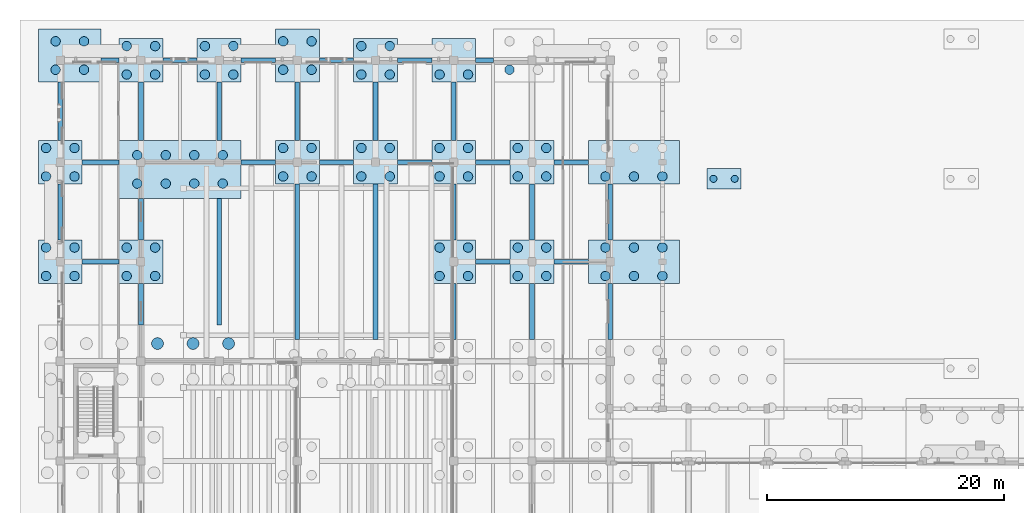
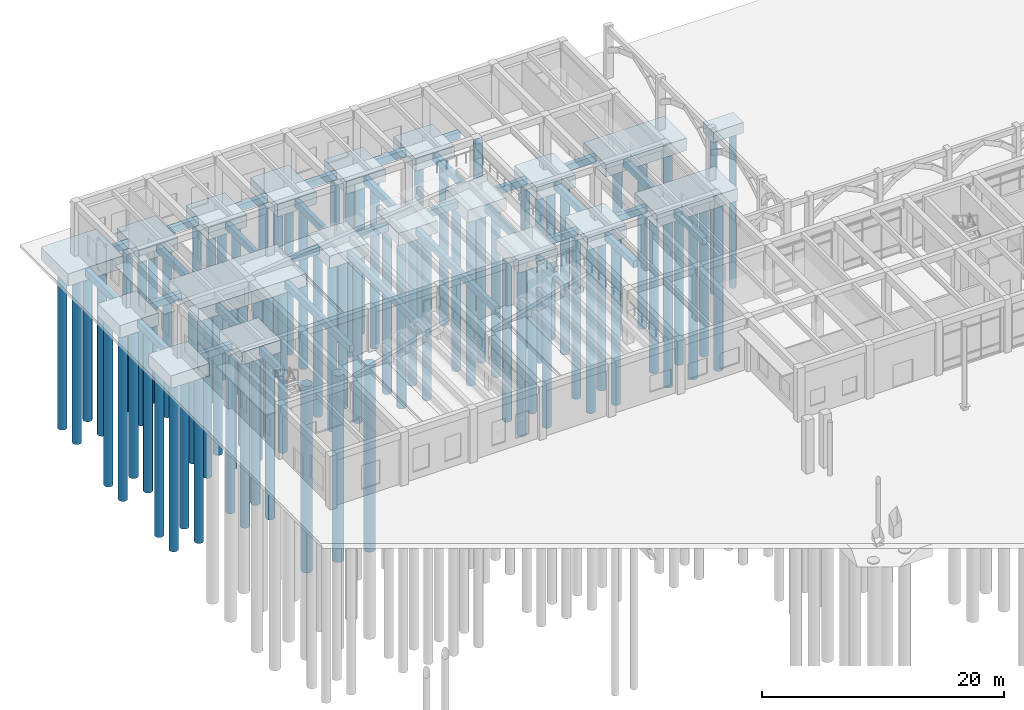
# One storey, part 5 of 82: 81 piles, 52 footings.
"""IFC4 building model written with IfcOpenShell, lengths in metres."""

from ifc_helpers import new_model, si_unit, direction, frame, origin, origin_2d, place, context, subcontext, project, spatial, rectangle, circle, extrude, material, material_profile, profile_set, type_object, element, save


model = new_model("IFC4")

# Units and contexts
model_context = context("Model", 3, precision=1e-05, world=origin(), true_north=direction((0.0, 1.0)))
body_context = subcontext(model_context, "Body", "Model", "MODEL_VIEW")
ifc_project = project(units=[si_unit("LENGTHUNIT", "METRE"), si_unit("AREAUNIT", "SQUARE_METRE"), si_unit("VOLUMEUNIT", "CUBIC_METRE"), si_unit("PLANEANGLEUNIT", "RADIAN"), si_unit("MASSUNIT", "GRAM", prefix="KILO")], contexts=[model_context])

# Site, building, storey
site_placement = place(None, origin())
site = spatial("IfcSite", under=ifc_project, at=site_placement, CompositionType="ELEMENT")
building_placement = place(site_placement, origin())
building = spatial("IfcBuilding", under=site, at=building_placement, Name="Kolvaren Faculty of Natural Sciences", CompositionType="ELEMENT")
storey_placement = place(building_placement, origin())
storey = spatial("IfcBuildingStorey", under=building, at=storey_placement, Name="L00", CompositionType="ELEMENT", Elevation=0.0)

# Piles
ifc_material = material(Name="Concrete C35/45", Category="concrete")
ifc_material_profile_1 = material_profile(ifc_material, circle(Radius=0.5, at=origin_2d()), Name="PILE D1000")
ifc_profile_set_1 = profile_set([ifc_material_profile_1], Name="Concrete C35/45")
pile_type_1 = type_object("IfcPileType", Name="BoredPile_1000", PredefinedType="BORED", material=ifc_profile_set_1)
for number, where, z_axis, x_axis, name in (
    (1, (8.199951171875, 94.10009765625, -1.469970703125), (0.0, 0.0, -1.0), (1.0, 0.0, 0.0), "Rock-socketed bored pile BP-1000 under CAP-087"),
    (2, (11.199951171875, 94.10009765625, -1.469970703125), (0.0, 0.0, -1.0), (1.0, 0.0, 0.0), "Rock-socketed bored pile BP-1000 under CAP-087"),
    (3, (14.199951171875, 94.10009765625, -1.469970703125), (0.0, 0.0, -1.0), (1.0, 0.0, 0.0), "Rock-socketed bored pile BP-1000 under CAP-087"),
):
    element("IfcPile", number, at=place(storey_placement, frame(where, z_axis=z_axis, x_axis=x_axis)), inside=storey, type_object=pile_type_1, Name=name, PredefinedType="BORED", context=body_context, shape_type="SweptSolid", body=[
        extrude(circle(Radius=0.5, at=origin_2d()), origin(), (0.0, 0.0, 1.0), 18.830078125),
    ])
ifc_material_profile_2 = material_profile(ifc_material, circle(Radius=0.300048828125, at=origin_2d()), Name="PILE D600")
ifc_profile_set_2 = profile_set([ifc_material_profile_2], Name="Concrete C35/45")
pile_type_2 = type_object("IfcPileType", Name="BoredPile_600", PredefinedType="BORED", material=ifc_profile_set_2)
for number, where, z_axis, x_axis, name in (
    (4, (55.10009765625, 108.0, -1.27001953125), (0.0, 0.0, -1.0), (1.0, 0.0, 0.0), "Rock-socketed bored pile BP-600 under CAP-151"),
    (5, (56.89990234375, 108.0, -1.27001953125), (0.0, 0.0, -1.0), (1.0, 0.0, 0.0), "Rock-socketed bored pile BP-600 under CAP-151"),
):
    element("IfcPile", number, at=place(storey_placement, frame(where, z_axis=z_axis, x_axis=x_axis)), inside=storey, type_object=pile_type_2, Name=name, PredefinedType="BORED", context=body_context, shape_type="SweptSolid", body=[
        extrude(circle(Radius=0.300048828125, at=origin_2d()), origin(), (0.0, 0.0, 1.0), 15.929931640625),
    ])
ifc_material_profile_3 = material_profile(ifc_material, circle(Radius=0.39990234375, at=origin_2d()), Name="PILE D800")
ifc_profile_set_3 = profile_set([ifc_material_profile_3], Name="Concrete C35/45")
pile_type_3 = type_object("IfcPileType", Name="BoredPile_800", PredefinedType="BORED", material=ifc_profile_set_3)
for number, where, z_axis, x_axis, name in (
    (6, (-1.199951171875, 99.800048828125, -1.469970703125), (0.0, 0.0, -1.0), (1.0, 0.0, 0.0), "Rock-socketed bored pile BP-800 under CAP-088"),
    (7, (-1.199951171875, 102.199951171875, -1.469970703125), (0.0, 0.0, -1.0), (1.0, 0.0, 0.0), "Rock-socketed bored pile BP-800 under CAP-088"),
    (8, (1.199951171875, 99.800048828125, -1.469970703125), (0.0, 0.0, -1.0), (1.0, 0.0, 0.0), "Rock-socketed bored pile BP-800 under CAP-088"),
    (9, (1.199951171875, 102.199951171875, -1.469970703125), (0.0, 0.0, -1.0), (1.0, 0.0, 0.0), "Rock-socketed bored pile BP-800 under CAP-088"),
    (10, (-1.199951171875, 108.199951171875, -1.469970703125), (0.0, 0.0, -1.0), (1.0, 0.0, 0.0), "Rock-socketed bored pile BP-800 under CAP-089"),
    (11, (-1.199951171875, 110.60009765625, -1.469970703125), (0.0, 0.0, -1.0), (1.0, 0.0, 0.0), "Rock-socketed bored pile BP-800 under CAP-089"),
    (12, (1.199951171875, 108.199951171875, -1.469970703125), (0.0, 0.0, -1.0), (1.0, 0.0, 0.0), "Rock-socketed bored pile BP-800 under CAP-089"),
    (13, (1.199951171875, 110.60009765625, -1.469970703125), (0.0, 0.0, -1.0), (1.0, 0.0, 0.0), "Rock-socketed bored pile BP-800 under CAP-089"),
    (14, (-0.39990234375, 117.199951171875, -1.469970703125), (0.0, 0.0, -1.0), (1.0, 0.0, 0.0), "Rock-socketed bored pile BP-800 under CAP-090"),
    (15, (-0.39990234375, 119.60009765625, -1.469970703125), (0.0, 0.0, -1.0), (1.0, 0.0, 0.0), "Rock-socketed bored pile BP-800 under CAP-090"),
    (16, (2.0, 117.199951171875, -1.469970703125), (0.0, 0.0, -1.0), (1.0, 0.0, 0.0), "Rock-socketed bored pile BP-800 under CAP-090"),
    (17, (2.0, 119.60009765625, -1.469970703125), (0.0, 0.0, -1.0), (1.0, 0.0, 0.0), "Rock-socketed bored pile BP-800 under CAP-090"),
    (18, (5.60009765625, 99.800048828125, -1.469970703125), (0.0, 0.0, -1.0), (1.0, 0.0, 0.0), "Rock-socketed bored pile BP-800 under CAP-098"),
    (19, (5.60009765625, 102.199951171875, -1.469970703125), (0.0, 0.0, -1.0), (1.0, 0.0, 0.0), "Rock-socketed bored pile BP-800 under CAP-098"),
    (20, (8.0, 99.800048828125, -1.469970703125), (0.0, 0.0, -1.0), (1.0, 0.0, 0.0), "Rock-socketed bored pile BP-800 under CAP-098"),
    (21, (8.0, 102.199951171875, -1.469970703125), (0.0, 0.0, -1.0), (1.0, 0.0, 0.0), "Rock-socketed bored pile BP-800 under CAP-098"),
    (22, (6.5, 107.60009765625, -1.469970703125), (0.0, 0.0, -1.0), (1.0, 0.0, 0.0), "Rock-socketed bored pile BP-800 under CAP-099"),
    (23, (6.5, 110.0, -1.469970703125), (0.0, 0.0, -1.0), (1.0, 0.0, 0.0), "Rock-socketed bored pile BP-800 under CAP-099"),
    (24, (8.89990234375, 107.60009765625, -1.469970703125), (0.0, 0.0, -1.0), (1.0, 0.0, 0.0), "Rock-socketed bored pile BP-800 under CAP-099"),
    (25, (8.89990234375, 110.0, -1.469970703125), (0.0, 0.0, -1.0), (1.0, 0.0, 0.0), "Rock-socketed bored pile BP-800 under CAP-099"),
    (26, (11.300048828125, 107.60009765625, -1.469970703125), (0.0, 0.0, -1.0), (1.0, 0.0, 0.0), "Rock-socketed bored pile BP-800 under CAP-099"),
    (27, (11.300048828125, 110.0, -1.469970703125), (0.0, 0.0, -1.0), (1.0, 0.0, 0.0), "Rock-socketed bored pile BP-800 under CAP-099"),
    (28, (13.699951171875, 107.60009765625, -1.469970703125), (0.0, 0.0, -1.0), (1.0, 0.0, 0.0), "Rock-socketed bored pile BP-800 under CAP-099"),
    (29, (13.699951171875, 110.0, -1.469970703125), (0.0, 0.0, -1.0), (1.0, 0.0, 0.0), "Rock-socketed bored pile BP-800 under CAP-099"),
    (30, (5.60009765625, 116.800048828125, -1.469970703125), (0.0, 0.0, -1.0), (1.0, 0.0, 0.0), "Rock-socketed bored pile BP-800 under CAP-100"),
    (31, (5.60009765625, 119.199951171875, -1.469970703125), (0.0, 0.0, -1.0), (1.0, 0.0, 0.0), "Rock-socketed bored pile BP-800 under CAP-100"),
    (32, (8.0, 116.800048828125, -1.469970703125), (0.0, 0.0, -1.0), (1.0, 0.0, 0.0), "Rock-socketed bored pile BP-800 under CAP-100"),
    (33, (8.0, 119.199951171875, -1.469970703125), (0.0, 0.0, -1.0), (1.0, 0.0, 0.0), "Rock-socketed bored pile BP-800 under CAP-100"),
    (34, (12.199951171875, 116.800048828125, -1.469970703125), (0.0, 0.0, -1.0), (1.0, 0.0, 0.0), "Rock-socketed bored pile BP-800 under CAP-103"),
    (35, (12.199951171875, 119.199951171875, -1.469970703125), (0.0, 0.0, -1.0), (1.0, 0.0, 0.0), "Rock-socketed bored pile BP-800 under CAP-103"),
    (36, (14.60009765625, 116.800048828125, -1.469970703125), (0.0, 0.0, -1.0), (1.0, 0.0, 0.0), "Rock-socketed bored pile BP-800 under CAP-103"),
    (37, (14.60009765625, 119.199951171875, -1.469970703125), (0.0, 0.0, -1.0), (1.0, 0.0, 0.0), "Rock-socketed bored pile BP-800 under CAP-103"),
    (38, (18.800048828125, 108.199951171875, -1.469970703125), (0.0, 0.0, -1.0), (1.0, 0.0, 0.0), "Rock-socketed bored pile BP-800 under CAP-110"),
    (39, (18.800048828125, 110.60009765625, -1.469970703125), (0.0, 0.0, -1.0), (1.0, 0.0, 0.0), "Rock-socketed bored pile BP-800 under CAP-110"),
    (40, (21.199951171875, 108.199951171875, -1.469970703125), (0.0, 0.0, -1.0), (1.0, 0.0, 0.0), "Rock-socketed bored pile BP-800 under CAP-110"),
    (41, (21.199951171875, 110.60009765625, -1.469970703125), (0.0, 0.0, -1.0), (1.0, 0.0, 0.0), "Rock-socketed bored pile BP-800 under CAP-110"),
    (42, (18.800048828125, 117.199951171875, -1.469970703125), (0.0, 0.0, -1.0), (1.0, 0.0, 0.0), "Rock-socketed bored pile BP-800 under CAP-111"),
    (43, (18.800048828125, 119.60009765625, -1.469970703125), (0.0, 0.0, -1.0), (1.0, 0.0, 0.0), "Rock-socketed bored pile BP-800 under CAP-111"),
    (44, (21.199951171875, 117.199951171875, -1.469970703125), (0.0, 0.0, -1.0), (1.0, 0.0, 0.0), "Rock-socketed bored pile BP-800 under CAP-111"),
    (45, (21.199951171875, 119.60009765625, -1.469970703125), (0.0, 0.0, -1.0), (1.0, 0.0, 0.0), "Rock-socketed bored pile BP-800 under CAP-111"),
    (46, (25.39990234375, 108.199951171875, -1.469970703125), (0.0, 0.0, -1.0), (1.0, 0.0, 0.0), "Rock-socketed bored pile BP-800 under CAP-118"),
    (47, (25.39990234375, 110.60009765625, -1.469970703125), (0.0, 0.0, -1.0), (1.0, 0.0, 0.0), "Rock-socketed bored pile BP-800 under CAP-118"),
    (48, (27.800048828125, 108.199951171875, -1.469970703125), (0.0, 0.0, -1.0), (1.0, 0.0, 0.0), "Rock-socketed bored pile BP-800 under CAP-118"),
    (49, (27.800048828125, 110.60009765625, -1.469970703125), (0.0, 0.0, -1.0), (1.0, 0.0, 0.0), "Rock-socketed bored pile BP-800 under CAP-118"),
    (50, (25.39990234375, 116.800048828125, -1.469970703125), (0.0, 0.0, -1.0), (1.0, 0.0, 0.0), "Rock-socketed bored pile BP-800 under CAP-119"),
    (51, (25.39990234375, 119.199951171875, -1.469970703125), (0.0, 0.0, -1.0), (1.0, 0.0, 0.0), "Rock-socketed bored pile BP-800 under CAP-119"),
    (52, (27.800048828125, 116.800048828125, -1.469970703125), (0.0, 0.0, -1.0), (1.0, 0.0, 0.0), "Rock-socketed bored pile BP-800 under CAP-119"),
    (53, (27.800048828125, 119.199951171875, -1.469970703125), (0.0, 0.0, -1.0), (1.0, 0.0, 0.0), "Rock-socketed bored pile BP-800 under CAP-119"),
    (54, (32.0, 99.800048828125, -1.469970703125), (0.0, 0.0, -1.0), (1.0, 0.0, 0.0), "Rock-socketed bored pile BP-800 under CAP-124"),
    (55, (32.0, 102.199951171875, -1.469970703125), (0.0, 0.0, -1.0), (1.0, 0.0, 0.0), "Rock-socketed bored pile BP-800 under CAP-124"),
    (56, (34.39990234375, 99.800048828125, -1.469970703125), (0.0, 0.0, -1.0), (1.0, 0.0, 0.0), "Rock-socketed bored pile BP-800 under CAP-124"),
    (57, (34.39990234375, 102.199951171875, -1.469970703125), (0.0, 0.0, -1.0), (1.0, 0.0, 0.0), "Rock-socketed bored pile BP-800 under CAP-124"),
    (58, (32.0, 108.199951171875, -1.469970703125), (0.0, 0.0, -1.0), (1.0, 0.0, 0.0), "Rock-socketed bored pile BP-800 under CAP-125"),
    (59, (32.0, 110.60009765625, -1.469970703125), (0.0, 0.0, -1.0), (1.0, 0.0, 0.0), "Rock-socketed bored pile BP-800 under CAP-125"),
    (60, (34.39990234375, 108.199951171875, -1.469970703125), (0.0, 0.0, -1.0), (1.0, 0.0, 0.0), "Rock-socketed bored pile BP-800 under CAP-125"),
    (61, (34.39990234375, 110.60009765625, -1.469970703125), (0.0, 0.0, -1.0), (1.0, 0.0, 0.0), "Rock-socketed bored pile BP-800 under CAP-125"),
    (62, (32.0, 116.800048828125, -1.469970703125), (0.0, 0.0, -1.0), (1.0, 0.0, 0.0), "Rock-socketed bored pile BP-800 under CAP-126"),
    (63, (34.39990234375, 116.800048828125, -1.469970703125), (0.0, 0.0, -1.0), (1.0, 0.0, 0.0), "Rock-socketed bored pile BP-800 under CAP-126"),
    (64, (37.89990234375, 117.199951171875, -1.469970703125), (0.0, 0.0, -1.0), (1.0, 0.0, 0.0), "Rock-socketed bored pile BP-800 under CAP-130"),
    (65, (38.60009765625, 99.800048828125, -1.469970703125), (0.0, 0.0, -1.0), (1.0, 0.0, 0.0), "Rock-socketed bored pile BP-800 under CAP-135"),
    (66, (38.60009765625, 102.199951171875, -1.469970703125), (0.0, 0.0, -1.0), (1.0, 0.0, 0.0), "Rock-socketed bored pile BP-800 under CAP-135"),
    (67, (41.0, 99.800048828125, -1.469970703125), (0.0, 0.0, -1.0), (1.0, 0.0, 0.0), "Rock-socketed bored pile BP-800 under CAP-135"),
    (68, (41.0, 102.199951171875, -1.469970703125), (0.0, 0.0, -1.0), (1.0, 0.0, 0.0), "Rock-socketed bored pile BP-800 under CAP-135"),
    (69, (38.60009765625, 108.199951171875, -1.469970703125), (0.0, 0.0, -1.0), (1.0, 0.0, 0.0), "Rock-socketed bored pile BP-800 under CAP-136"),
    (70, (38.60009765625, 110.60009765625, -1.469970703125), (0.0, 0.0, -1.0), (1.0, 0.0, 0.0), "Rock-socketed bored pile BP-800 under CAP-136"),
    (71, (41.0, 108.199951171875, -1.469970703125), (0.0, 0.0, -1.0), (1.0, 0.0, 0.0), "Rock-socketed bored pile BP-800 under CAP-136"),
    (72, (41.0, 110.60009765625, -1.469970703125), (0.0, 0.0, -1.0), (1.0, 0.0, 0.0), "Rock-socketed bored pile BP-800 under CAP-136"),
    (73, (46.0, 99.800048828125, -1.469970703125), (0.0, 0.0, -1.0), (1.0, 0.0, 0.0), "Rock-socketed bored pile BP-800 under CAP-142"),
    (74, (46.0, 102.199951171875, -1.469970703125), (0.0, 0.0, -1.0), (1.0, 0.0, 0.0), "Rock-socketed bored pile BP-800 under CAP-142"),
    (75, (48.39990234375, 99.800048828125, -1.469970703125), (0.0, 0.0, -1.0), (1.0, 0.0, 0.0), "Rock-socketed bored pile BP-800 under CAP-142"),
    (76, (48.39990234375, 102.199951171875, -1.469970703125), (0.0, 0.0, -1.0), (1.0, 0.0, 0.0), "Rock-socketed bored pile BP-800 under CAP-142"),
    (77, (50.800048828125, 99.800048828125, -1.469970703125), (0.0, 0.0, -1.0), (1.0, 0.0, 0.0), "Rock-socketed bored pile BP-800 under CAP-142"),
    (78, (50.800048828125, 102.199951171875, -1.469970703125), (0.0, 0.0, -1.0), (1.0, 0.0, 0.0), "Rock-socketed bored pile BP-800 under CAP-142"),
    (79, (46.0, 108.199951171875, -1.469970703125), (0.0, 0.0, -1.0), (1.0, 0.0, 0.0), "Rock-socketed bored pile BP-800 under CAP-143"),
    (80, (48.39990234375, 108.199951171875, -1.469970703125), (0.0, 0.0, -1.0), (1.0, 0.0, 0.0), "Rock-socketed bored pile BP-800 under CAP-143"),
    (81, (50.800048828125, 108.199951171875, -1.469970703125), (0.0, 0.0, -1.0), (1.0, 0.0, 0.0), "Rock-socketed bored pile BP-800 under CAP-143"),
):
    element("IfcPile", number, at=place(storey_placement, frame(where, z_axis=z_axis, x_axis=x_axis)), inside=storey, type_object=pile_type_3, Name=name, PredefinedType="BORED", context=body_context, shape_type="SweptSolid", body=[
        extrude(circle(Radius=0.39990234375, at=origin_2d()), origin(), (0.0, 0.0, 1.0), 16.929931640625),
    ])

# Footings
ifc_material_profile_4 = material_profile(ifc_material, rectangle(XDim=0.39990234375, YDim=0.699951171875, at=origin_2d()), Name="RC FB 400x700")
ifc_profile_set_4 = profile_set([ifc_material_profile_4], Name="Concrete C35/45")
footing_type_1 = type_object("IfcFootingType", Name="FootingTieBeam_400x700", PredefinedType="FOOTING_BEAM", material=ifc_profile_set_4)
footing_1_placement = place(storey_placement, frame((1.85009765625, 101.0, -0.75), z_axis=(1.0, 0.0, 0.0), x_axis=(0.0, 1.0, 0.0)))
element("IfcFooting", 82, at=footing_1_placement, inside=storey, type_object=footing_type_1, Name="L00 orthogonal foundation tie beam FB-01", PredefinedType="FOOTING_BEAM", context=body_context, shape_type="SweptSolid", body=[
    extrude(rectangle(XDim=0.39990234375, YDim=0.699951171875, at=origin_2d()), origin(), (0.0, 0.0, 1.0), 3.099853515625),
])
footing_2_placement = place(storey_placement, frame((35.050048828125, 101.0, -0.75), z_axis=(1.0, 0.0, 0.0), x_axis=(0.0, 1.0, 0.0)))
element("IfcFooting", 83, at=footing_2_placement, inside=storey, type_object=footing_type_1, Name="L00 orthogonal foundation tie beam FB-01", PredefinedType="FOOTING_BEAM", context=body_context, shape_type="SweptSolid", body=[
    extrude(rectangle(XDim=0.39990234375, YDim=0.699951171875, at=origin_2d()), origin(), (0.0, 0.0, 1.0), 2.89990234375),
])
footing_3_placement = place(storey_placement, frame((41.64990234375, 101.0, -0.75), z_axis=(1.0, 0.0, 0.0), x_axis=(0.0, 1.0, 0.0)))
element("IfcFooting", 84, at=footing_3_placement, inside=storey, type_object=footing_type_1, Name="L00 orthogonal foundation tie beam FB-01", PredefinedType="FOOTING_BEAM", context=body_context, shape_type="SweptSolid", body=[
    extrude(rectangle(XDim=0.39990234375, YDim=0.699951171875, at=origin_2d()), origin(), (0.0, 0.0, 1.0), 2.900146484375),
])
footing_4_placement = place(storey_placement, frame((1.85009765625, 109.39990234375, -0.75), z_axis=(1.0, 0.0, 0.0), x_axis=(0.0, 1.0, 0.0)))
element("IfcFooting", 85, at=footing_4_placement, inside=storey, type_object=footing_type_1, Name="L00 orthogonal foundation tie beam FB-01", PredefinedType="FOOTING_BEAM", context=body_context, shape_type="SweptSolid", body=[
    extrude(rectangle(XDim=0.39990234375, YDim=0.699951171875, at=origin_2d()), origin(), (0.0, 0.0, 1.0), 3.099853515625),
])
for number, where, z_axis, x_axis, name in (
    (86, (15.25, 109.39990234375, -0.75), (1.0, 0.0, 0.0), (0.0, 1.0, 0.0), "L00 orthogonal foundation tie beam FB-01"),
    (87, (21.85009765625, 109.39990234375, -0.75), (1.0, 0.0, 0.0), (0.0, 1.0, 0.0), "L00 orthogonal foundation tie beam FB-01"),
):
    element("IfcFooting", number, at=place(storey_placement, frame(where, z_axis=z_axis, x_axis=x_axis)), inside=storey, type_object=footing_type_1, Name=name, PredefinedType="FOOTING_BEAM", context=body_context, shape_type="SweptSolid", body=[
        extrude(rectangle(XDim=0.39990234375, YDim=0.699951171875, at=origin_2d()), origin(), (0.0, 0.0, 1.0), 2.89990234375),
    ])
footing_5_placement = place(storey_placement, frame((28.449951171875, 109.39990234375, -0.75), z_axis=(1.0, 0.0, 0.0), x_axis=(0.0, 1.0, 0.0)))
element("IfcFooting", 88, at=footing_5_placement, inside=storey, type_object=footing_type_1, Name="L00 orthogonal foundation tie beam FB-01", PredefinedType="FOOTING_BEAM", context=body_context, shape_type="SweptSolid", body=[
    extrude(rectangle(XDim=0.39990234375, YDim=0.699951171875, at=origin_2d()), origin(), (0.0, 0.0, 1.0), 2.900146484375),
])
footing_6_placement = place(storey_placement, frame((35.050048828125, 109.39990234375, -0.75), z_axis=(1.0, 0.0, 0.0), x_axis=(0.0, 1.0, 0.0)))
element("IfcFooting", 89, at=footing_6_placement, inside=storey, type_object=footing_type_1, Name="L00 orthogonal foundation tie beam FB-01", PredefinedType="FOOTING_BEAM", context=body_context, shape_type="SweptSolid", body=[
    extrude(rectangle(XDim=0.39990234375, YDim=0.699951171875, at=origin_2d()), origin(), (0.0, 0.0, 1.0), 2.89990234375),
])
footing_7_placement = place(storey_placement, frame((41.64990234375, 109.39990234375, -0.75), z_axis=(1.0, 0.0, 0.0), x_axis=(0.0, 1.0, 0.0)))
element("IfcFooting", 90, at=footing_7_placement, inside=storey, type_object=footing_type_1, Name="L00 orthogonal foundation tie beam FB-01", PredefinedType="FOOTING_BEAM", context=body_context, shape_type="SweptSolid", body=[
    extrude(rectangle(XDim=0.39990234375, YDim=0.699951171875, at=origin_2d()), origin(), (0.0, 0.0, 1.0), 2.900146484375),
])
footing_8_placement = place(storey_placement, frame((3.449951171875, 118.0, -0.75), z_axis=(1.0, 0.0, 0.0), x_axis=(0.0, 1.0, 0.0)))
element("IfcFooting", 91, at=footing_8_placement, inside=storey, type_object=footing_type_1, Name="L00 orthogonal foundation tie beam FB-01", PredefinedType="FOOTING_BEAM", context=body_context, shape_type="SweptSolid", body=[
    extrude(rectangle(XDim=0.39990234375, YDim=0.699951171875, at=origin_2d()), origin(), (0.0, 0.0, 1.0), 1.5),
])
footing_9_placement = place(storey_placement, frame((8.64990234375, 118.0, -0.75), z_axis=(1.0, 0.0, 0.0), x_axis=(0.0, 1.0, 0.0)))
element("IfcFooting", 92, at=footing_9_placement, inside=storey, type_object=footing_type_1, Name="L00 orthogonal foundation tie beam FB-01", PredefinedType="FOOTING_BEAM", context=body_context, shape_type="SweptSolid", body=[
    extrude(rectangle(XDim=0.39990234375, YDim=0.699951171875, at=origin_2d()), origin(), (0.0, 0.0, 1.0), 2.900146484375),
])
for number, where, z_axis, x_axis, name in (
    (93, (15.25, 118.0, -0.75), (1.0, 0.0, 0.0), (0.0, 1.0, 0.0), "L00 orthogonal foundation tie beam FB-01"),
    (94, (21.85009765625, 118.0, -0.75), (1.0, 0.0, 0.0), (0.0, 1.0, 0.0), "L00 orthogonal foundation tie beam FB-01"),
):
    element("IfcFooting", number, at=place(storey_placement, frame(where, z_axis=z_axis, x_axis=x_axis)), inside=storey, type_object=footing_type_1, Name=name, PredefinedType="FOOTING_BEAM", context=body_context, shape_type="SweptSolid", body=[
        extrude(rectangle(XDim=0.39990234375, YDim=0.699951171875, at=origin_2d()), origin(), (0.0, 0.0, 1.0), 2.89990234375),
    ])
footing_10_placement = place(storey_placement, frame((28.449951171875, 118.0, -0.75), z_axis=(1.0, 0.0, 0.0), x_axis=(0.0, 1.0, 0.0)))
element("IfcFooting", 95, at=footing_10_placement, inside=storey, type_object=footing_type_1, Name="L00 orthogonal foundation tie beam FB-01", PredefinedType="FOOTING_BEAM", context=body_context, shape_type="SweptSolid", body=[
    extrude(rectangle(XDim=0.39990234375, YDim=0.699951171875, at=origin_2d()), origin(), (0.0, 0.0, 1.0), 2.900146484375),
])
footing_11_placement = place(storey_placement, frame((35.050048828125, 118.0, -0.75), z_axis=(1.0, 0.0, 0.0), x_axis=(0.0, 1.0, 0.0)))
element("IfcFooting", 96, at=footing_11_placement, inside=storey, type_object=footing_type_1, Name="L00 orthogonal foundation tie beam FB-01", PredefinedType="FOOTING_BEAM", context=body_context, shape_type="SweptSolid", body=[
    extrude(rectangle(XDim=0.39990234375, YDim=0.699951171875, at=origin_2d()), origin(), (0.0, 0.0, 1.0), 1.5),
])
footing_12_placement = place(storey_placement, frame((0.0, 102.85009765625, -0.75), z_axis=(0.0, 1.0, 0.0), x_axis=(-1.0, 0.0, 0.0)))
element("IfcFooting", 97, at=footing_12_placement, inside=storey, type_object=footing_type_1, Name="L00 orthogonal foundation tie beam FB-01", PredefinedType="FOOTING_BEAM", context=body_context, shape_type="SweptSolid", body=[
    extrude(rectangle(XDim=0.39990234375, YDim=0.699951171875, at=origin_2d()), origin(), (0.0, 0.0, 1.0), 4.699951171875),
])
footing_13_placement = place(storey_placement, frame((0.0, 111.25, -0.75), z_axis=(0.0, 1.0, 0.0), x_axis=(-1.0, 0.0, 0.0)))
element("IfcFooting", 98, at=footing_13_placement, inside=storey, type_object=footing_type_1, Name="L00 orthogonal foundation tie beam FB-01", PredefinedType="FOOTING_BEAM", context=body_context, shape_type="SweptSolid", body=[
    extrude(rectangle(XDim=0.39990234375, YDim=0.699951171875, at=origin_2d()), origin(), (0.0, 0.0, 1.0), 4.89990234375),
])
for number, where, z_axis, x_axis, name in (
    (99, (6.800048828125, 95.64990234375, -0.75), (0.0, 1.0, 0.0), (-1.0, 0.0, 0.0), "L00 orthogonal foundation tie beam FB-01"),
    (100, (6.800048828125, 102.85009765625, -0.75), (0.0, 1.0, 0.0), (-1.0, 0.0, 0.0), "L00 orthogonal foundation tie beam FB-01"),
):
    element("IfcFooting", number, at=place(storey_placement, frame(where, z_axis=z_axis, x_axis=x_axis)), inside=storey, type_object=footing_type_1, Name=name, PredefinedType="FOOTING_BEAM", context=body_context, shape_type="SweptSolid", body=[
        extrude(rectangle(XDim=0.39990234375, YDim=0.699951171875, at=origin_2d()), origin(), (0.0, 0.0, 1.0), 3.5),
    ])
footing_14_placement = place(storey_placement, frame((6.800048828125, 111.25, -0.75), z_axis=(0.0, 1.0, 0.0), x_axis=(-1.0, 0.0, 0.0)))
element("IfcFooting", 101, at=footing_14_placement, inside=storey, type_object=footing_type_1, Name="L00 orthogonal foundation tie beam FB-01", PredefinedType="FOOTING_BEAM", context=body_context, shape_type="SweptSolid", body=[
    extrude(rectangle(XDim=0.39990234375, YDim=0.699951171875, at=origin_2d()), origin(), (0.0, 0.0, 1.0), 4.89990234375),
])
footing_15_placement = place(storey_placement, frame((13.39990234375, 95.64990234375, -0.75), z_axis=(0.0, 1.0, 0.0), x_axis=(-1.0, 0.0, 0.0)))
element("IfcFooting", 102, at=footing_15_placement, inside=storey, type_object=footing_type_1, Name="L00 orthogonal foundation tie beam FB-01", PredefinedType="FOOTING_BEAM", context=body_context, shape_type="SweptSolid", body=[
    extrude(rectangle(XDim=0.39990234375, YDim=0.699951171875, at=origin_2d()), origin(), (0.0, 0.0, 1.0), 10.7001953125),
])
footing_16_placement = place(storey_placement, frame((13.39990234375, 111.25, -0.75), z_axis=(0.0, 1.0, 0.0), x_axis=(-1.0, 0.0, 0.0)))
element("IfcFooting", 103, at=footing_16_placement, inside=storey, type_object=footing_type_1, Name="L00 orthogonal foundation tie beam FB-01", PredefinedType="FOOTING_BEAM", context=body_context, shape_type="SweptSolid", body=[
    extrude(rectangle(XDim=0.39990234375, YDim=0.699951171875, at=origin_2d()), origin(), (0.0, 0.0, 1.0), 4.89990234375),
])
footing_17_placement = place(storey_placement, frame((20.0, 94.449951171875, -0.75), z_axis=(0.0, 1.0, 0.0), x_axis=(-1.0, 0.0, 0.0)))
element("IfcFooting", 104, at=footing_17_placement, inside=storey, type_object=footing_type_1, Name="L00 orthogonal foundation tie beam FB-01", PredefinedType="FOOTING_BEAM", context=body_context, shape_type="SweptSolid", body=[
    extrude(rectangle(XDim=0.39990234375, YDim=0.699951171875, at=origin_2d()), origin(), (0.0, 0.0, 1.0), 13.10009765625),
])
footing_18_placement = place(storey_placement, frame((20.0, 111.25, -0.75), z_axis=(0.0, 1.0, 0.0), x_axis=(-1.0, 0.0, 0.0)))
element("IfcFooting", 105, at=footing_18_placement, inside=storey, type_object=footing_type_1, Name="L00 orthogonal foundation tie beam FB-01", PredefinedType="FOOTING_BEAM", context=body_context, shape_type="SweptSolid", body=[
    extrude(rectangle(XDim=0.39990234375, YDim=0.699951171875, at=origin_2d()), origin(), (0.0, 0.0, 1.0), 4.89990234375),
])
footing_19_placement = place(storey_placement, frame((26.60009765625, 94.449951171875, -0.75), z_axis=(0.0, 1.0, 0.0), x_axis=(-1.0, 0.0, 0.0)))
element("IfcFooting", 106, at=footing_19_placement, inside=storey, type_object=footing_type_1, Name="L00 orthogonal foundation tie beam FB-01", PredefinedType="FOOTING_BEAM", context=body_context, shape_type="SweptSolid", body=[
    extrude(rectangle(XDim=0.39990234375, YDim=0.699951171875, at=origin_2d()), origin(), (0.0, 0.0, 1.0), 13.10009765625),
])
footing_20_placement = place(storey_placement, frame((26.60009765625, 111.25, -0.75), z_axis=(0.0, 1.0, 0.0), x_axis=(-1.0, 0.0, 0.0)))
element("IfcFooting", 107, at=footing_20_placement, inside=storey, type_object=footing_type_1, Name="L00 orthogonal foundation tie beam FB-01", PredefinedType="FOOTING_BEAM", context=body_context, shape_type="SweptSolid", body=[
    extrude(rectangle(XDim=0.39990234375, YDim=0.699951171875, at=origin_2d()), origin(), (0.0, 0.0, 1.0), 4.89990234375),
])
for number, where, z_axis, x_axis, name in (
    (108, (33.199951171875, 94.449951171875, -0.75), (0.0, 1.0, 0.0), (-1.0, 0.0, 0.0), "L00 orthogonal foundation tie beam FB-01"),
    (109, (33.199951171875, 102.85009765625, -0.75), (0.0, 1.0, 0.0), (-1.0, 0.0, 0.0), "L00 orthogonal foundation tie beam FB-01"),
):
    element("IfcFooting", number, at=place(storey_placement, frame(where, z_axis=z_axis, x_axis=x_axis)), inside=storey, type_object=footing_type_1, Name=name, PredefinedType="FOOTING_BEAM", context=body_context, shape_type="SweptSolid", body=[
        extrude(rectangle(XDim=0.39990234375, YDim=0.699951171875, at=origin_2d()), origin(), (0.0, 0.0, 1.0), 4.699951171875),
    ])
footing_21_placement = place(storey_placement, frame((33.199951171875, 111.25, -0.75), z_axis=(0.0, 1.0, 0.0), x_axis=(-1.0, 0.0, 0.0)))
element("IfcFooting", 110, at=footing_21_placement, inside=storey, type_object=footing_type_1, Name="L00 orthogonal foundation tie beam FB-01", PredefinedType="FOOTING_BEAM", context=body_context, shape_type="SweptSolid", body=[
    extrude(rectangle(XDim=0.39990234375, YDim=0.699951171875, at=origin_2d()), origin(), (0.0, 0.0, 1.0), 4.89990234375),
])
for number, where, z_axis, x_axis, name in (
    (111, (39.800048828125, 94.449951171875, -0.75), (0.0, 1.0, 0.0), (-1.0, 0.0, 0.0), "L00 orthogonal foundation tie beam FB-01"),
    (112, (39.800048828125, 102.85009765625, -0.75), (0.0, 1.0, 0.0), (-1.0, 0.0, 0.0), "L00 orthogonal foundation tie beam FB-01"),
    (113, (46.39990234375, 94.449951171875, -0.75), (0.0, 1.0, 0.0), (-1.0, 0.0, 0.0), "L00 orthogonal foundation tie beam FB-01"),
    (114, (46.39990234375, 102.85009765625, -0.75), (0.0, 1.0, 0.0), (-1.0, 0.0, 0.0), "L00 orthogonal foundation tie beam FB-01"),
):
    element("IfcFooting", number, at=place(storey_placement, frame(where, z_axis=z_axis, x_axis=x_axis)), inside=storey, type_object=footing_type_1, Name=name, PredefinedType="FOOTING_BEAM", context=body_context, shape_type="SweptSolid", body=[
        extrude(rectangle(XDim=0.39990234375, YDim=0.699951171875, at=origin_2d()), origin(), (0.0, 0.0, 1.0), 4.699951171875),
    ])
footing_type_2 = type_object("IfcFootingType", Name="PileCap_10300x4900x1250", PredefinedType="PILE_CAP", material=ifc_material)
footing_22_placement = place(storey_placement, frame((10.10009765625, 108.800048828125, -1.570068359375), z_axis=(0.0, 0.0, 1.0), x_axis=(1.0, 0.0, 0.0)))
element("IfcFooting", 115, at=footing_22_placement, inside=storey, type_object=footing_type_2, Name="L00 reinforced concrete pile cap PC-22 (CAP-099)", PredefinedType="PILE_CAP", context=body_context, shape_type="SweptSolid", body=[
    extrude(rectangle(XDim=10.300048828125, YDim=4.89990234375, at=origin_2d()), origin(), (0.0, 0.0, 1.0), 1.25),
])
footing_type_3 = type_object("IfcFootingType", Name="PileCap_2900x1700x1050", PredefinedType="PILE_CAP", material=ifc_material)
footing_23_placement = place(storey_placement, frame((56.0, 108.0, -1.3701171875), z_axis=(0.0, 0.0, 1.0), x_axis=(1.0, 0.0, 0.0)))
element("IfcFooting", 116, at=footing_23_placement, inside=storey, type_object=footing_type_3, Name="L00 reinforced concrete pile cap PC-19 (CAP-151)", PredefinedType="PILE_CAP", context=body_context, shape_type="SweptSolid", body=[
    extrude(rectangle(XDim=2.89990234375, YDim=1.699951171875, at=origin_2d()), origin(), (0.0, 0.0, 1.0), 1.050048828125),
])
footing_type_4 = type_object("IfcFootingType", Name="PileCap_3700x3700x1250", PredefinedType="PILE_CAP", material=ifc_material)
for number, where, z_axis, x_axis, name in (
    (117, (0.0, 101.0, -1.570068359375), (0.0, 0.0, 1.0), (1.0, 0.0, 0.0), "L00 reinforced concrete pile cap PC-16 (CAP-088)"),
    (118, (0.0, 109.39990234375, -1.570068359375), (0.0, 0.0, 1.0), (1.0, 0.0, 0.0), "L00 reinforced concrete pile cap PC-16 (CAP-089)"),
    (119, (6.800048828125, 101.0, -1.570068359375), (0.0, 0.0, 1.0), (1.0, 0.0, 0.0), "L00 reinforced concrete pile cap PC-16 (CAP-098)"),
    (120, (6.800048828125, 118.0, -1.570068359375), (0.0, 0.0, 1.0), (1.0, 0.0, 0.0), "L00 reinforced concrete pile cap PC-16 (CAP-100)"),
    (121, (13.39990234375, 118.0, -1.570068359375), (0.0, 0.0, 1.0), (1.0, 0.0, 0.0), "L00 reinforced concrete pile cap PC-16 (CAP-103)"),
    (122, (20.0, 109.39990234375, -1.570068359375), (0.0, 0.0, 1.0), (1.0, 0.0, 0.0), "L00 reinforced concrete pile cap PC-16 (CAP-110)"),
    (123, (26.60009765625, 109.39990234375, -1.570068359375), (0.0, 0.0, 1.0), (1.0, 0.0, 0.0), "L00 reinforced concrete pile cap PC-16 (CAP-118)"),
    (124, (26.60009765625, 118.0, -1.570068359375), (0.0, 0.0, 1.0), (1.0, 0.0, 0.0), "L00 reinforced concrete pile cap PC-16 (CAP-119)"),
    (125, (33.199951171875, 101.0, -1.570068359375), (0.0, 0.0, 1.0), (1.0, 0.0, 0.0), "L00 reinforced concrete pile cap PC-16 (CAP-124)"),
    (126, (33.199951171875, 109.39990234375, -1.570068359375), (0.0, 0.0, 1.0), (1.0, 0.0, 0.0), "L00 reinforced concrete pile cap PC-16 (CAP-125)"),
    (127, (33.199951171875, 118.0, -1.570068359375), (0.0, 0.0, 1.0), (1.0, 0.0, 0.0), "L00 reinforced concrete pile cap PC-16 (CAP-126)"),
    (128, (39.800048828125, 101.0, -1.570068359375), (0.0, 0.0, 1.0), (1.0, 0.0, 0.0), "L00 reinforced concrete pile cap PC-16 (CAP-135)"),
    (129, (39.800048828125, 109.39990234375, -1.570068359375), (0.0, 0.0, 1.0), (1.0, 0.0, 0.0), "L00 reinforced concrete pile cap PC-16 (CAP-136)"),
):
    element("IfcFooting", number, at=place(storey_placement, frame(where, z_axis=z_axis, x_axis=x_axis)), inside=storey, type_object=footing_type_4, Name=name, PredefinedType="PILE_CAP", context=body_context, shape_type="SweptSolid", body=[
        extrude(rectangle(XDim=3.699951171875, YDim=3.699951171875, at=origin_2d()), origin(), (0.0, 0.0, 1.0), 1.25),
    ])
footing_type_5 = type_object("IfcFootingType", Name="PileCap_3700x4500x1250", PredefinedType="PILE_CAP", material=ifc_material)
footing_24_placement = place(storey_placement, frame((20.0, 118.39990234375, -1.570068359375), z_axis=(0.0, 0.0, 1.0), x_axis=(1.0, 0.0, 0.0)))
element("IfcFooting", 130, at=footing_24_placement, inside=storey, type_object=footing_type_5, Name="L00 reinforced concrete pile cap PC-24 (CAP-111)", PredefinedType="PILE_CAP", context=body_context, shape_type="SweptSolid", body=[
    extrude(rectangle(XDim=3.699951171875, YDim=4.5, at=origin_2d()), origin(), (0.0, 0.0, 1.0), 1.25),
])
footing_type_6 = type_object("IfcFootingType", Name="PileCap_5300x4500x1250", PredefinedType="PILE_CAP", material=ifc_material)
footing_25_placement = place(storey_placement, frame((0.800048828125, 118.39990234375, -1.570068359375), z_axis=(0.0, 0.0, 1.0), x_axis=(1.0, 0.0, 0.0)))
element("IfcFooting", 131, at=footing_25_placement, inside=storey, type_object=footing_type_6, Name="L00 reinforced concrete pile cap PC-15 (CAP-090)", PredefinedType="PILE_CAP", context=body_context, shape_type="SweptSolid", body=[
    extrude(rectangle(XDim=5.300048828125, YDim=4.5, at=origin_2d()), origin(), (0.0, 0.0, 1.0), 1.25),
])
footing_type_7 = type_object("IfcFootingType", Name="PileCap_7700x3700x1250", PredefinedType="PILE_CAP", material=ifc_material)
for number, where, z_axis, x_axis, name in (
    (132, (48.39990234375, 101.0, -1.570068359375), (0.0, 0.0, 1.0), (1.0, 0.0, 0.0), "L00 reinforced concrete pile cap PC-29 (CAP-142)"),
    (133, (48.39990234375, 109.39990234375, -1.570068359375), (0.0, 0.0, 1.0), (1.0, 0.0, 0.0), "L00 reinforced concrete pile cap PC-29 (CAP-143)"),
):
    element("IfcFooting", number, at=place(storey_placement, frame(where, z_axis=z_axis, x_axis=x_axis)), inside=storey, type_object=footing_type_7, Name=name, PredefinedType="PILE_CAP", context=body_context, shape_type="SweptSolid", body=[
        extrude(rectangle(XDim=7.699951171875, YDim=3.699951171875, at=origin_2d()), origin(), (0.0, 0.0, 1.0), 1.25),
    ])

save(model, "model.ifc")
